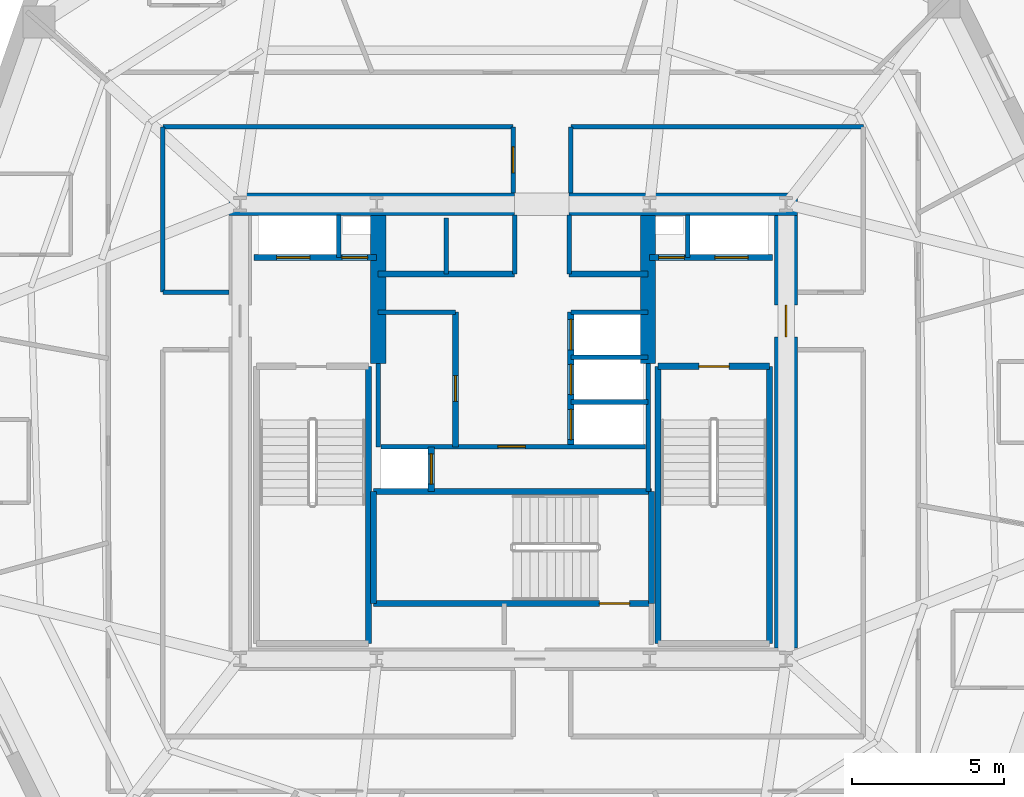
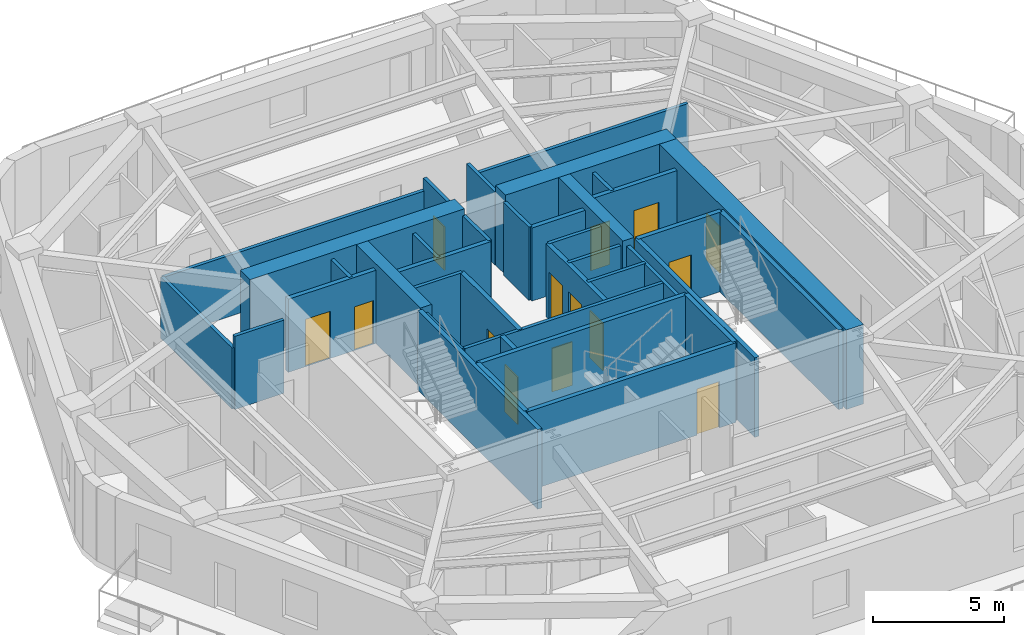
# One storey, part 4 of 10: 38 walls, 14 doors, 14 openings.
"""IFC4 building model written with IfcOpenShell, lengths in metres."""

from ifc_helpers import new_model, si_unit, direction, frame, frame_2d, origin, place, context, subcontext, project, spatial, rectangle, extrude, material, layer, layer_set, type_object, element, fill, save


model = new_model("IFC4")

# Units and contexts
model_context = context("Model", 3, precision=1e-05, world=origin(), true_north=direction((0.0, 1.0)))
body_context = subcontext(model_context, "Body", "Model", "MODEL_VIEW")
ifc_project = project(units=[si_unit("LENGTHUNIT", "METRE"), si_unit("AREAUNIT", "SQUARE_METRE"), si_unit("VOLUMEUNIT", "CUBIC_METRE"), si_unit("PLANEANGLEUNIT", "RADIAN"), si_unit("MASSUNIT", "GRAM", prefix="KILO")], contexts=[model_context])

# Site, building, storey
site_placement = place(None, origin())
site = spatial("IfcSite", under=ifc_project, at=site_placement, CompositionType="ELEMENT")
building_placement = place(site_placement, origin())
building = spatial("IfcBuilding", under=site, at=building_placement, Name="Kilnhurst Terrace Hotel", CompositionType="ELEMENT")
storey_placement = place(building_placement, frame((0.0, 0.0, 186.699951171875)))
storey = spatial("IfcBuildingStorey", under=building, at=storey_placement, Name="L46", CompositionType="ELEMENT", Elevation=186.699951171875)

# Walls
ifc_material_1 = material(Name="Acoustic Double-Gypsum Corridor Partition Assembly")
ifc_layer_1 = layer(ifc_material_1, 0.14990234375, Name="Acoustic Double-Gypsum Corridor Partition Assembly")
ifc_layer_set_1 = layer_set([ifc_layer_1], Name="Acoustic Double-Gypsum Corridor Partition Assembly")
wall_type_1 = type_object("IfcWallType", Name="WL-COR-150", PredefinedType="PARTITIONING", material=ifc_layer_set_1)
wall_1_placement = place(storey_placement, frame((11.550048828125, 10.050048828125, 0.0), z_axis=(0.0, 0.0, 1.0), x_axis=(-1.0, 0.0, 0.0)))
element("IfcWall", 1, at=wall_1_placement, inside=storey, type_object=wall_type_1, Name="L46 Interior Wall WL-L46-COR-09", PredefinedType="PARTITIONING", context=body_context, shape_type="SweptSolid", body=[
    extrude(rectangle(XDim=9.650146484375, YDim=0.14990234375, at=frame_2d((4.8251953125, 0.0))), origin(), (0.0, 0.0, 1.0), 2.840087890625),
])
wall_2_placement = place(storey_placement, frame((1.89990234375, 10.050048828125, 0.0), z_axis=(0.0, 0.0, 1.0), x_axis=(0.0, -1.0, 0.0)))
element("IfcWall", 2, at=wall_2_placement, inside=storey, type_object=wall_type_1, Name="L46 Interior Wall WL-L46-COR-10", PredefinedType="PARTITIONING", context=body_context, shape_type="SweptSolid", body=[
    extrude(rectangle(XDim=2.175048828125, YDim=0.14990234375, at=frame_2d((1.08740234375, 0.0))), origin(), (0.0, 0.0, 1.0), 3.400146484375),
])

# Wall, opening, door
wall_3_placement = place(storey_placement, frame((0.0, 7.875, 0.0), z_axis=(0.0, 0.0, 1.0), x_axis=(0.0, 1.0, 0.0)))
wall_3 = element("IfcWall", 3, at=wall_3_placement, inside=storey, type_object=wall_type_1, Name="L46 Interior Wall WL-L46-COR-11", PredefinedType="PARTITIONING", context=body_context, shape_type="SweptSolid", body=[
    extrude(rectangle(XDim=2.175048828125, YDim=0.14990234375, at=frame_2d((1.08740234375, 0.0))), origin(), (0.0, 0.0, 1.0), 3.400146484375),
])
opening_1_placement = place(wall_3_placement, frame((0.6630859375, 0.0, 0.0)))
opening_1 = element("IfcOpeningElement", 4, at=opening_1_placement, cuts=wall_3, Name="Opening D-60D", PredefinedType="OPENING", context=body_context, shape_type="SweptSolid", body=[
    extrude(rectangle(XDim=0.85009765625, YDim=2.030029296875, at=frame_2d((0.425048828125, 1.01513671875))), frame((0.0, 0.0849609375, 0.0), z_axis=(0.0, -1.0, 0.0), x_axis=(1.0, 0.0, 0.0)), (0.0, 0.0, 1.0), 0.169921875),
])
ifc_material_2 = material(Name="Painted Hollow Metal Steel ASTM A36 Riser Door", Category="steel")
door_type_1 = type_object("IfcDoorType", Name="DR-FD60-850", OperationType="NOTDEFINED", PredefinedType="DOOR", material=ifc_material_2)
door_1_placement = place(opening_1_placement, origin())
door_1 = element("IfcDoor", 5, at=door_1_placement, inside=storey, type_object=door_type_1, Name="L46 Floor Valet Equipment Store Door", OperationType="SINGLE_SWING_RIGHT", OverallHeight=2.030029296875, OverallWidth=0.85009765625, PredefinedType="DOOR", context=body_context, shape_type="SweptSolid", body=[
    extrude(rectangle(XDim=0.85009765625, YDim=2.030029296875, at=frame_2d((0.425048828125, 1.01513671875))), frame((0.0, 0.02490234375, 0.0), z_axis=(0.0, -1.0, 0.0), x_axis=(1.0, 0.0, 0.0)), (0.0, 0.0, 1.0), 0.050048828125),
])
fill(opening_1, door_1)

# Walls
wall_4_placement = place(storey_placement, frame((0.0, 10.050048828125, 0.0), z_axis=(0.0, 0.0, 1.0), x_axis=(-1.0, 0.0, 0.0)))
element("IfcWall", 6, at=wall_4_placement, inside=storey, type_object=wall_type_1, Name="L46 Interior Wall WL-L46-COR-12", PredefinedType="PARTITIONING", context=body_context, shape_type="SweptSolid", body=[
    extrude(rectangle(XDim=11.550048828125, YDim=0.14990234375, at=frame_2d((5.77490234375, 0.0))), origin(), (0.0, 0.0, 1.0), 2.840087890625),
])
wall_5_placement = place(storey_placement, frame((-11.550048828125, 10.050048828125, 0.0), z_axis=(0.0, 0.0, 1.0), x_axis=(0.0, -1.0, 0.0)))
element("IfcWall", 7, at=wall_5_placement, inside=storey, type_object=wall_type_1, Name="L46 Interior Wall WL-L46-COR-13", PredefinedType="PARTITIONING", context=body_context, shape_type="SweptSolid", body=[
    extrude(rectangle(XDim=5.449951171875, YDim=0.14990234375, at=frame_2d((2.72509765625, 0.0))), origin(), (0.0, 0.0, 1.0), 2.840087890625),
])
wall_6_placement = place(storey_placement, frame((-11.550048828125, 4.60009765625, 0.0), z_axis=(0.0, 0.0, 1.0), x_axis=(1.0, 0.0, 0.0)))
element("IfcWall", 8, at=wall_6_placement, inside=storey, type_object=wall_type_1, Name="L46 Interior Wall WL-L46-COR-14", PredefinedType="PARTITIONING", context=body_context, shape_type="SweptSolid", body=[
    extrude(rectangle(XDim=2.175048828125, YDim=0.14990234375, at=frame_2d((1.08740234375, 0.0))), origin(), (0.0, 0.0, 1.0), 3.400146484375),
])
ifc_material_3 = material(Name="Concrete C60/75", Category="concrete")
ifc_layer_2 = layer(ifc_material_3, 0.75, Name="Concrete C60/75")
ifc_layer_set_2 = layer_set([ifc_layer_2], Name="Concrete C60/75")
wall_type_2 = type_object("IfcWallType", Name="WL-CORE-750", PredefinedType="SHEAR", material=ifc_layer_set_2)
wall_7_placement = place(storey_placement, frame((-9.375, 7.5, 0.0), z_axis=(0.0, 0.0, 1.0), x_axis=(1.0, 0.0, 0.0)))
element("IfcWall", 9, at=wall_7_placement, inside=storey, type_object=wall_type_2, Name="L46 Core North West Shear Wall", PredefinedType="SHEAR", context=body_context, shape_type="SweptSolid", body=[
    extrude(rectangle(XDim=9.425048828125, YDim=0.75, at=frame_2d((4.71240234375, 0.0))), origin(), (0.0, 0.0, 1.0), 3.699951171875),
])
wall_8_placement = place(storey_placement, frame((1.85009765625, 7.5, 0.0), z_axis=(0.0, 0.0, 1.0), x_axis=(1.0, 0.0, 0.0)))
element("IfcWall", 10, at=wall_8_placement, inside=storey, type_object=wall_type_2, Name="L46 Core North East Shear Wall", PredefinedType="SHEAR", context=body_context, shape_type="SweptSolid", body=[
    extrude(rectangle(XDim=7.52490234375, YDim=0.75, at=frame_2d((3.762451171875, 0.0))), origin(), (0.0, 0.0, 1.0), 3.699951171875),
])

# Wall, opening, door
wall_9_placement = place(storey_placement, frame((9.0, -7.125, 0.0), z_axis=(0.0, 0.0, 1.0), x_axis=(0.0, 1.0, 0.0)))
wall_9 = element("IfcWall", 11, at=wall_9_placement, inside=storey, type_object=wall_type_2, Name="L46 Core East Shear Wall", PredefinedType="SHEAR", context=body_context, shape_type="SweptSolid", body=[
    extrude(rectangle(XDim=14.25, YDim=0.75, at=frame_2d((7.125, 0.0))), origin(), (0.0, 0.0, 1.0), 3.699951171875),
])
opening_2_placement = place(wall_9_placement, frame((10.25, 0.0, 0.0)))
opening_2 = element("IfcOpeningElement", 12, at=opening_2_placement, cuts=wall_9, Name="Opening D-90A", PredefinedType="OPENING", context=body_context, shape_type="SweptSolid", body=[
    extrude(rectangle(XDim=1.050048828125, YDim=2.14990234375, at=frame_2d((0.52490234375, 1.074951171875))), frame((0.0, 0.385009765625, 0.0), z_axis=(0.0, -1.0, 0.0), x_axis=(1.0, 0.0, 0.0)), (0.0, 0.0, 1.0), 0.77001953125),
])
ifc_material_4 = material(Name="Painted Hollow Metal Steel ASTM A36 Fire Door", Category="steel")
door_type_2 = type_object("IfcDoorType", Name="DR-FD90-1050", OperationType="NOTDEFINED", PredefinedType="DOOR", material=ifc_material_4)
door_2_placement = place(opening_2_placement, origin())
door_2 = element("IfcDoor", 13, at=door_2_placement, inside=storey, type_object=door_type_2, Name="L46 East Firefighting Lobby Door", OperationType="SINGLE_SWING_LEFT", OverallHeight=2.14990234375, OverallWidth=1.050048828125, PredefinedType="DOOR", context=body_context, shape_type="SweptSolid", body=[
    extrude(rectangle(XDim=1.050048828125, YDim=2.14990234375, at=frame_2d((0.52490234375, 1.074951171875))), frame((0.0, 0.02490234375, 0.0), z_axis=(0.0, -1.0, 0.0), x_axis=(1.0, 0.0, 0.0)), (0.0, 0.0, 1.0), 0.050048828125),
])
fill(opening_2, door_2)

# Walls
ifc_layer_3 = layer(ifc_material_3, 0.5, Name="Concrete C60/75")
ifc_layer_set_3 = layer_set([ifc_layer_3], Name="Concrete C60/75")
wall_type_3 = type_object("IfcWallType", Name="WL-CORE-WEB-500", PredefinedType="SHEAR", material=ifc_layer_set_3)
for number, where, z_axis, x_axis, name in (
    (14, (-4.449951171875, 2.25, 0.0), (0.0, 0.0, 1.0), (0.0, 1.0, 0.0), "L46 Core Internal West Shear Web"),
    (15, (4.449951171875, 2.25, 0.0), (0.0, 0.0, 1.0), (0.0, 1.0, 0.0), "L46 Core Internal East Shear Web"),
):
    element("IfcWall", number, at=place(storey_placement, frame(where, z_axis=z_axis, x_axis=x_axis)), inside=storey, type_object=wall_type_3, Name=name, PredefinedType="SHEAR", context=body_context, shape_type="SweptSolid", body=[
        extrude(rectangle(XDim=4.875, YDim=0.5, at=frame_2d((2.4375, 0.0))), origin(), (0.0, 0.0, 1.0), 3.699951171875),
    ])
ifc_material_5 = material(Name="Fire-Rated Gypsum Shaftliner Assembly")
ifc_layer_4 = layer(ifc_material_5, 0.14990234375, Name="Fire-Rated Gypsum Shaftliner Assembly")
ifc_layer_set_4 = layer_set([ifc_layer_4], Name="Fire-Rated Gypsum Shaftliner Assembly")
wall_type_4 = type_object("IfcWallType", Name="WL-SHAFT-150", PredefinedType="PARTITIONING", material=ifc_layer_set_4)
for number, where, z_axis, x_axis, name in (
    (16, (-5.75, 5.739990234375, 0.0), (0.0, 0.0, 1.0), (0.0, 1.0, 0.0), "L46 Interior Wall WL-L46-RIS1-DIV"),
    (17, (5.75, 5.739990234375, 0.0), (0.0, 0.0, 1.0), (0.0, 1.0, 0.0), "L46 Interior Wall WL-L46-RIS2-DIV"),
):
    element("IfcWall", number, at=place(storey_placement, frame(where, z_axis=z_axis, x_axis=x_axis)), inside=storey, type_object=wall_type_4, Name=name, PredefinedType="PARTITIONING", context=body_context, shape_type="SweptSolid", body=[
        extrude(rectangle(XDim=1.409912109375, YDim=0.14990234375, at=frame_2d((0.705078125, 0.0))), origin(), (0.0, 0.0, 1.0), 3.400146484375),
    ])
wall_10_placement = place(storey_placement, frame((-2.199951171875, 5.199951171875, 0.0), z_axis=(0.0, 0.0, 1.0), x_axis=(0.0, 1.0, 0.0)))
element("IfcWall", 18, at=wall_10_placement, inside=storey, type_object=wall_type_4, Name="L46 Interior Wall WL-L46-HR-DIV1", PredefinedType="PARTITIONING", context=body_context, shape_type="SweptSolid", body=[
    extrude(rectangle(XDim=1.85009765625, YDim=0.14990234375, at=frame_2d((0.925048828125, 0.0))), origin(), (0.0, 0.0, 1.0), 3.400146484375),
])
for number, where, z_axis, x_axis, name in (
    (19, (0.050048828125, 5.199951171875, 0.0), (0.0, 0.0, 1.0), (0.0, 1.0, 0.0), "L46 Interior Wall WL-L46-HR-PORTAL-W"),
    (20, (1.85009765625, 5.199951171875, 0.0), (0.0, 0.0, 1.0), (0.0, 1.0, 0.0), "L46 Interior Wall WL-L46-HR-PORTAL-E"),
):
    element("IfcWall", number, at=place(storey_placement, frame(where, z_axis=z_axis, x_axis=x_axis)), inside=storey, type_object=wall_type_4, Name=name, PredefinedType="PARTITIONING", context=body_context, shape_type="SweptSolid", body=[
        extrude(rectangle(XDim=1.949951171875, YDim=0.14990234375, at=frame_2d((0.97509765625, 0.0))), origin(), (0.0, 0.0, 1.0), 3.400146484375),
    ])
wall_11_placement = place(storey_placement, frame((-4.449951171875, -0.5, 0.0), z_axis=(0.0, 0.0, 1.0), x_axis=(0.0, 1.0, 0.0)))
element("IfcWall", 21, at=wall_11_placement, inside=storey, type_object=wall_type_4, Name="L46 Interior Wall WL-L46-XLOB-W", PredefinedType="PARTITIONING", context=body_context, shape_type="SweptSolid", body=[
    extrude(rectangle(XDim=2.75, YDim=0.14990234375, at=frame_2d((1.375, 0.0))), origin(), (0.0, 0.0, 1.0), 3.400146484375),
])
wall_12_placement = place(storey_placement, frame((4.449951171875, -1.971923828125, 0.0), z_axis=(0.0, 0.0, 1.0), x_axis=(0.0, 1.0, 0.0)))
element("IfcWall", 22, at=wall_12_placement, inside=storey, type_object=wall_type_4, Name="L46 Interior Wall WL-L46-XLOB-E", PredefinedType="PARTITIONING", context=body_context, shape_type="SweptSolid", body=[
    extrude(rectangle(XDim=4.221923828125, YDim=0.14990234375, at=frame_2d((2.11083984375, 0.0))), origin(), (0.0, 0.0, 1.0), 3.400146484375),
])
for number, where, z_axis, x_axis, name in (
    (23, (-4.449951171875, 3.93994140625, 0.0), (0.0, 0.0, 1.0), (1.0, 0.0, 0.0), "L46 Interior Wall WL-L46-LR-NORTH"),
    (24, (1.89990234375, 3.93994140625, 0.0), (0.0, 0.0, 1.0), (1.0, 0.0, 0.0), "L46 Interior Wall WL-L46-MR-NORTH"),
    (25, (1.89990234375, 0.97998046875, 0.0), (0.0, 0.0, 1.0), (1.0, 0.0, 0.0), "L46 Interior Wall WL-L46-MR-D1"),
    (26, (1.89990234375, 2.4599609375, 0.0), (0.0, 0.0, 1.0), (1.0, 0.0, 0.0), "L46 Interior Wall WL-L46-MR-D2"),
):
    element("IfcWall", number, at=place(storey_placement, frame(where, z_axis=z_axis, x_axis=x_axis)), inside=storey, type_object=wall_type_4, Name=name, PredefinedType="PARTITIONING", context=body_context, shape_type="SweptSolid", body=[
        extrude(rectangle(XDim=2.550048828125, YDim=0.14990234375, at=frame_2d((1.27490234375, 0.0))), origin(), (0.0, 0.0, 1.0), 3.400146484375),
    ])

# Wall, opening, door
wall_13_placement = place(storey_placement, frame((-4.360107421875, -0.489990234375, 0.0), z_axis=(0.0, 0.0, 1.0), x_axis=(1.0, 0.0, 0.0)))
wall_13 = element("IfcWall", 27, at=wall_13_placement, inside=storey, type_object=wall_type_4, Name="L46 Interior Wall WL-L46-BOH-N", PredefinedType="PARTITIONING", context=body_context, shape_type="SweptSolid", body=[
    extrude(rectangle(XDim=8.72021484375, YDim=0.14990234375, at=frame_2d((4.360107421875, 0.0))), origin(), (0.0, 0.0, 1.0), 3.400146484375),
])
opening_3_placement = place(wall_13_placement, frame((3.860107421875, 0.0, 0.0)))
opening_3 = element("IfcOpeningElement", 28, at=opening_3_placement, cuts=wall_13, Name="Opening D-60C", PredefinedType="OPENING", context=body_context, shape_type="SweptSolid", body=[
    extrude(rectangle(XDim=0.89990234375, YDim=2.030029296875, at=frame_2d((0.449951171875, 1.01513671875))), frame((0.0, 0.0849609375, 0.0), z_axis=(0.0, -1.0, 0.0), x_axis=(1.0, 0.0, 0.0)), (0.0, 0.0, 1.0), 0.169921875),
])
ifc_material_6 = material(Name="Painted Solid-Core Service Fire Door")
door_type_3 = type_object("IfcDoorType", Name="DR-FD60-900", OperationType="NOTDEFINED", PredefinedType="DOOR", material=ifc_material_6)
door_3_placement = place(opening_3_placement, origin())
door_3 = element("IfcDoor", 29, at=door_3_placement, inside=storey, type_object=door_type_3, Name="L46 Housekeeping Laundry Door", OperationType="SINGLE_SWING_LEFT", OverallHeight=2.030029296875, OverallWidth=0.89990234375, PredefinedType="DOOR", context=body_context, shape_type="SweptSolid", body=[
    extrude(rectangle(XDim=0.89990234375, YDim=2.030029296875, at=frame_2d((0.449951171875, 1.01513671875))), frame((0.0, 0.02490234375, 0.0), z_axis=(0.0, -1.0, 0.0), x_axis=(1.0, 0.0, 0.0)), (0.0, 0.0, 1.0), 0.050048828125),
])
fill(opening_3, door_3)

# Wall, openings, doors
ifc_material_7 = material(Name="Autoclaved Aerated Concrete C30/37 and Gypsum Shaft Assembly", Category="concrete")
ifc_layer_5 = layer(ifc_material_7, 0.199951171875, Name="Autoclaved Aerated Concrete C30/37 and Gypsum Shaft Assembly")
ifc_layer_set_5 = layer_set([ifc_layer_5], Name="Autoclaved Aerated Concrete C30/37 and Gypsum Shaft Assembly")
wall_type_5 = type_object("IfcWallType", Name="WL-SHAFT-200", PredefinedType="PARTITIONING", material=ifc_layer_set_5)
wall_14_placement = place(storey_placement, frame((-8.550048828125, 5.739990234375, 0.0), z_axis=(0.0, 0.0, 1.0), x_axis=(1.0, 0.0, 0.0)))
wall_14 = element("IfcWall", 30, at=wall_14_placement, inside=storey, type_object=wall_type_5, Name="L46 Interior Wall WL-L46-FSAE1-S", PredefinedType="PARTITIONING", context=body_context, shape_type="SweptSolid", body=[
    extrude(rectangle(XDim=4.050048828125, YDim=0.199951171875, at=frame_2d((2.02490234375, 0.0))), origin(), (0.0, 0.0, 1.0), 3.400146484375),
])
opening_4_placement = place(wall_14_placement, frame((0.75, 0.0, 0.0)))
opening_4 = element("IfcOpeningElement", 31, at=opening_4_placement, cuts=wall_14, Name="Opening LD-F1", PredefinedType="OPENING", context=body_context, shape_type="SweptSolid", body=[
    extrude(rectangle(XDim=1.10009765625, YDim=2.199951171875, at=frame_2d((0.550048828125, 1.10009765625))), frame((0.0, 0.10986328125, 0.0), z_axis=(0.0, -1.0, 0.0), x_axis=(1.0, 0.0, 0.0)), (0.0, 0.0, 1.0), 0.219970703125),
])
opening_5_placement = place(wall_14_placement, frame((2.89990234375, 0.0, 0.0)))
opening_5 = element("IfcOpeningElement", 32, at=opening_5_placement, cuts=wall_14, Name="Opening D-60D", PredefinedType="OPENING", context=body_context, shape_type="SweptSolid", body=[
    extrude(rectangle(XDim=0.85009765625, YDim=2.030029296875, at=frame_2d((0.425048828125, 1.01513671875))), frame((0.0, 0.10986328125, 0.0), z_axis=(0.0, -1.0, 0.0), x_axis=(1.0, 0.0, 0.0)), (0.0, 0.0, 1.0), 0.219970703125),
])
door_4_placement = place(opening_5_placement, origin())
door_4 = element("IfcDoor", 33, at=door_4_placement, inside=storey, type_object=door_type_1, Name="L46 Electrical Riser Door", OperationType="SINGLE_SWING_LEFT", OverallHeight=2.030029296875, OverallWidth=0.85009765625, PredefinedType="DOOR", context=body_context, shape_type="SweptSolid", body=[
    extrude(rectangle(XDim=0.85009765625, YDim=2.030029296875, at=frame_2d((0.425048828125, 1.01513671875))), frame((0.0, 0.02490234375, 0.0), z_axis=(0.0, -1.0, 0.0), x_axis=(1.0, 0.0, 0.0)), (0.0, 0.0, 1.0), 0.050048828125),
])
fill(opening_5, door_4)
ifc_material_8 = material(Name="Bronze-Anodized Stainless Steel AISI 316L Sliding Door", Category="steel")
door_type_4 = type_object("IfcDoorType", Name="DR-LIFT-1100", OperationType="NOTDEFINED", PredefinedType="DOOR", material=ifc_material_8)
door_5_placement = place(opening_4_placement, origin())
door_5 = element("IfcDoor", 34, at=door_5_placement, inside=storey, type_object=door_type_4, Name="L46 FSAE-1 Landing Door", OperationType="SLIDING_TO_LEFT", OverallHeight=2.199951171875, OverallWidth=1.10009765625, PredefinedType="DOOR", context=body_context, shape_type="SweptSolid", body=[
    extrude(rectangle(XDim=1.10009765625, YDim=2.199951171875, at=frame_2d((0.550048828125, 1.10009765625))), frame((0.0, 0.02490234375, 0.0), z_axis=(0.0, -1.0, 0.0), x_axis=(1.0, 0.0, 0.0)), (0.0, 0.0, 1.0), 0.050048828125),
])
fill(opening_4, door_5)

wall_15_placement = place(storey_placement, frame((4.5, 5.739990234375, 0.0), z_axis=(0.0, 0.0, 1.0), x_axis=(1.0, 0.0, 0.0)))
wall_15 = element("IfcWall", 35, at=wall_15_placement, inside=storey, type_object=wall_type_5, Name="L46 Interior Wall WL-L46-FSAE2-S", PredefinedType="PARTITIONING", context=body_context, shape_type="SweptSolid", body=[
    extrude(rectangle(XDim=4.050048828125, YDim=0.199951171875, at=frame_2d((2.02490234375, 0.0))), origin(), (0.0, 0.0, 1.0), 3.400146484375),
])
opening_6_placement = place(wall_15_placement, frame((0.300048828125, 0.0, 0.0)))
opening_6 = element("IfcOpeningElement", 36, at=opening_6_placement, cuts=wall_15, Name="Opening D-60D", PredefinedType="OPENING", context=body_context, shape_type="SweptSolid", body=[
    extrude(rectangle(XDim=0.85009765625, YDim=2.030029296875, at=frame_2d((0.425048828125, 1.01513671875))), frame((0.0, 0.10986328125, 0.0), z_axis=(0.0, -1.0, 0.0), x_axis=(1.0, 0.0, 0.0)), (0.0, 0.0, 1.0), 0.219970703125),
])
opening_7_placement = place(wall_15_placement, frame((2.14990234375, 0.0, 0.0)))
opening_7 = element("IfcOpeningElement", 37, at=opening_7_placement, cuts=wall_15, Name="Opening LD-F2", PredefinedType="OPENING", context=body_context, shape_type="SweptSolid", body=[
    extrude(rectangle(XDim=1.10009765625, YDim=2.199951171875, at=frame_2d((0.550048828125, 1.10009765625))), frame((0.0, 0.10986328125, 0.0), z_axis=(0.0, -1.0, 0.0), x_axis=(1.0, 0.0, 0.0)), (0.0, 0.0, 1.0), 0.219970703125),
])
door_6_placement = place(opening_6_placement, origin())
door_6 = element("IfcDoor", 38, at=door_6_placement, inside=storey, type_object=door_type_1, Name="L46 Telecom Riser Door", OperationType="SINGLE_SWING_RIGHT", OverallHeight=2.030029296875, OverallWidth=0.85009765625, PredefinedType="DOOR", context=body_context, shape_type="SweptSolid", body=[
    extrude(rectangle(XDim=0.85009765625, YDim=2.030029296875, at=frame_2d((0.425048828125, 1.01513671875))), frame((0.0, 0.02490234375, 0.0), z_axis=(0.0, -1.0, 0.0), x_axis=(1.0, 0.0, 0.0)), (0.0, 0.0, 1.0), 0.050048828125),
])
fill(opening_6, door_6)
door_7_placement = place(opening_7_placement, origin())
door_7 = element("IfcDoor", 39, at=door_7_placement, inside=storey, type_object=door_type_4, Name="L46 FSAE-2 Landing Door", OperationType="SLIDING_TO_RIGHT", OverallHeight=2.199951171875, OverallWidth=1.10009765625, PredefinedType="DOOR", context=body_context, shape_type="SweptSolid", body=[
    extrude(rectangle(XDim=1.10009765625, YDim=2.199951171875, at=frame_2d((0.550048828125, 1.10009765625))), frame((0.0, 0.02490234375, 0.0), z_axis=(0.0, -1.0, 0.0), x_axis=(1.0, 0.0, 0.0)), (0.0, 0.0, 1.0), 0.050048828125),
])
fill(opening_7, door_7)

# Wall, opening, door
wall_16_placement = place(storey_placement, frame((-2.699951171875, -1.971923828125, 0.0), z_axis=(0.0, 0.0, 1.0), x_axis=(0.0, 1.0, 0.0)))
wall_16 = element("IfcWall", 40, at=wall_16_placement, inside=storey, type_object=wall_type_5, Name="L46 Interior Wall WL-L46-SRV1-E", PredefinedType="PARTITIONING", context=body_context, shape_type="SweptSolid", body=[
    extrude(rectangle(XDim=1.471923828125, YDim=0.199951171875, at=frame_2d((0.73583984375, 0.0))), origin(), (0.0, 0.0, 1.0), 3.400146484375),
])
opening_8_placement = place(wall_16_placement, frame((0.239990234375, 0.0, 0.0)))
opening_8 = element("IfcOpeningElement", 41, at=opening_8_placement, cuts=wall_16, Name="Opening LD-SV", PredefinedType="OPENING", context=body_context, shape_type="SweptSolid", body=[
    extrude(rectangle(XDim=1.0, YDim=2.199951171875, at=frame_2d((0.5, 1.10009765625))), frame((0.0, 0.10986328125, 0.0), z_axis=(0.0, -1.0, 0.0), x_axis=(1.0, 0.0, 0.0)), (0.0, 0.0, 1.0), 0.219970703125),
])
door_type_5 = type_object("IfcDoorType", Name="DR-LIFT-1000", OperationType="NOTDEFINED", PredefinedType="DOOR", material=ifc_material_8)
door_8_placement = place(opening_8_placement, origin())
door_8 = element("IfcDoor", 42, at=door_8_placement, inside=storey, type_object=door_type_5, Name="L46 Service Lift SRV-1 Landing Door", OperationType="SLIDING_TO_LEFT", OverallHeight=2.199951171875, OverallWidth=1.0, PredefinedType="DOOR", context=body_context, shape_type="SweptSolid", body=[
    extrude(rectangle(XDim=1.0, YDim=2.199951171875, at=frame_2d((0.5, 1.10009765625))), frame((0.0, 0.02490234375, 0.0), z_axis=(0.0, -1.0, 0.0), x_axis=(1.0, 0.0, 0.0)), (0.0, 0.0, 1.0), 0.050048828125),
])
fill(opening_8, door_8)

# Walls
wall_17_placement = place(storey_placement, frame((-4.449951171875, 5.199951171875, 0.0), z_axis=(0.0, 0.0, 1.0), x_axis=(1.0, 0.0, 0.0)))
element("IfcWall", 43, at=wall_17_placement, inside=storey, type_object=wall_type_5, Name="L46 Interior Wall WL-L46-HR-SW", PredefinedType="PARTITIONING", context=body_context, shape_type="SweptSolid", body=[
    extrude(rectangle(XDim=4.5, YDim=0.199951171875, at=frame_2d((2.25, 0.0))), origin(), (0.0, 0.0, 1.0), 3.400146484375),
])
wall_18_placement = place(storey_placement, frame((1.85009765625, 5.199951171875, 0.0), z_axis=(0.0, 0.0, 1.0), x_axis=(1.0, 0.0, 0.0)))
element("IfcWall", 44, at=wall_18_placement, inside=storey, type_object=wall_type_5, Name="L46 Interior Wall WL-L46-HR-SE", PredefinedType="PARTITIONING", context=body_context, shape_type="SweptSolid", body=[
    extrude(rectangle(XDim=2.599853515625, YDim=0.199951171875, at=frame_2d((1.2998046875, 0.0))), origin(), (0.0, 0.0, 1.0), 3.400146484375),
])

# Wall, opening, door
wall_19_placement = place(storey_placement, frame((-1.89990234375, -0.5, 0.0), z_axis=(0.0, 0.0, 1.0), x_axis=(0.0, 1.0, 0.0)))
wall_19 = element("IfcWall", 45, at=wall_19_placement, inside=storey, type_object=wall_type_5, Name="L46 Interior Wall WL-L46-LR-FRONT", PredefinedType="PARTITIONING", context=body_context, shape_type="SweptSolid", body=[
    extrude(rectangle(XDim=4.43994140625, YDim=0.199951171875, at=frame_2d((2.219970703125, 0.0))), origin(), (0.0, 0.0, 1.0), 3.400146484375),
])
opening_9_placement = place(wall_19_placement, frame((1.5, 0.0, 0.0)))
opening_9 = element("IfcOpeningElement", 46, at=opening_9_placement, cuts=wall_19, Name="Opening D-60D", PredefinedType="OPENING", context=body_context, shape_type="SweptSolid", body=[
    extrude(rectangle(XDim=0.85009765625, YDim=2.030029296875, at=frame_2d((0.425048828125, 1.01513671875))), frame((0.0, 0.10986328125, 0.0), z_axis=(0.0, -1.0, 0.0), x_axis=(1.0, 0.0, 0.0)), (0.0, 0.0, 1.0), 0.219970703125),
])
door_9_placement = place(opening_9_placement, origin())
door_9 = element("IfcDoor", 47, at=door_9_placement, inside=storey, type_object=door_type_1, Name="L46 Reclaimed Linen Room Door", OperationType="SINGLE_SWING_LEFT", OverallHeight=2.030029296875, OverallWidth=0.85009765625, PredefinedType="DOOR", context=body_context, shape_type="SweptSolid", body=[
    extrude(rectangle(XDim=0.85009765625, YDim=2.030029296875, at=frame_2d((0.425048828125, 1.01513671875))), frame((0.0, 0.02490234375, 0.0), z_axis=(0.0, -1.0, 0.0), x_axis=(1.0, 0.0, 0.0)), (0.0, 0.0, 1.0), 0.050048828125),
])
fill(opening_9, door_9)

# Wall, openings, doors
wall_20_placement = place(storey_placement, frame((1.89990234375, -0.5, 0.0), z_axis=(0.0, 0.0, 1.0), x_axis=(0.0, 1.0, 0.0)))
wall_20 = element("IfcWall", 48, at=wall_20_placement, inside=storey, type_object=wall_type_5, Name="L46 Interior Wall WL-L46-MR-FRONT", PredefinedType="PARTITIONING", context=body_context, shape_type="SweptSolid", body=[
    extrude(rectangle(XDim=4.43994140625, YDim=0.199951171875, at=frame_2d((2.219970703125, 0.0))), origin(), (0.0, 0.0, 1.0), 3.400146484375),
])
opening_10_placement = place(wall_20_placement, frame((0.239990234375, 0.0, 0.0)))
opening_10 = element("IfcOpeningElement", 49, at=opening_10_placement, cuts=wall_20, Name="Opening LD-MR", PredefinedType="OPENING", context=body_context, shape_type="SweptSolid", body=[
    extrude(rectangle(XDim=1.0, YDim=2.199951171875, at=frame_2d((0.5, 1.10009765625))), frame((0.0, 0.10986328125, 0.0), z_axis=(0.0, -1.0, 0.0), x_axis=(1.0, 0.0, 0.0)), (0.0, 0.0, 1.0), 0.219970703125),
])
opening_11_placement = place(wall_20_placement, frame((1.719970703125, 0.0, 0.0)))
opening_11 = element("IfcOpeningElement", 50, at=opening_11_placement, cuts=wall_20, Name="Opening LD-MR", PredefinedType="OPENING", context=body_context, shape_type="SweptSolid", body=[
    extrude(rectangle(XDim=1.0, YDim=2.199951171875, at=frame_2d((0.5, 1.10009765625))), frame((0.0, 0.10986328125, 0.0), z_axis=(0.0, -1.0, 0.0), x_axis=(1.0, 0.0, 0.0)), (0.0, 0.0, 1.0), 0.219970703125),
])
opening_12_placement = place(wall_20_placement, frame((3.199951171875, 0.0, 0.0)))
opening_12 = element("IfcOpeningElement", 51, at=opening_12_placement, cuts=wall_20, Name="Opening LD-MR", PredefinedType="OPENING", context=body_context, shape_type="SweptSolid", body=[
    extrude(rectangle(XDim=1.0, YDim=2.199951171875, at=frame_2d((0.5, 1.10009765625))), frame((0.0, 0.10986328125, 0.0), z_axis=(0.0, -1.0, 0.0), x_axis=(1.0, 0.0, 0.0)), (0.0, 0.0, 1.0), 0.219970703125),
])
door_10_placement = place(opening_10_placement, origin())
door_10 = element("IfcDoor", 52, at=door_10_placement, inside=storey, type_object=door_type_5, Name="L46 Mid Rise Lift MR-1 Landing Door", OperationType="SLIDING_TO_RIGHT", OverallHeight=2.199951171875, OverallWidth=1.0, PredefinedType="DOOR", context=body_context, shape_type="SweptSolid", body=[
    extrude(rectangle(XDim=1.0, YDim=2.199951171875, at=frame_2d((0.5, 1.10009765625))), frame((0.0, 0.02490234375, 0.0), z_axis=(0.0, -1.0, 0.0), x_axis=(1.0, 0.0, 0.0)), (0.0, 0.0, 1.0), 0.050048828125),
])
fill(opening_10, door_10)
door_11_placement = place(opening_11_placement, origin())
door_11 = element("IfcDoor", 53, at=door_11_placement, inside=storey, type_object=door_type_5, Name="L46 Mid Rise Lift MR-2 Landing Door", OperationType="SLIDING_TO_RIGHT", OverallHeight=2.199951171875, OverallWidth=1.0, PredefinedType="DOOR", context=body_context, shape_type="SweptSolid", body=[
    extrude(rectangle(XDim=1.0, YDim=2.199951171875, at=frame_2d((0.5, 1.10009765625))), frame((0.0, 0.02490234375, 0.0), z_axis=(0.0, -1.0, 0.0), x_axis=(1.0, 0.0, 0.0)), (0.0, 0.0, 1.0), 0.050048828125),
])
fill(opening_11, door_11)
door_12_placement = place(opening_12_placement, origin())
door_12 = element("IfcDoor", 54, at=door_12_placement, inside=storey, type_object=door_type_5, Name="L46 Mid Rise Lift MR-3 Landing Door", OperationType="SLIDING_TO_RIGHT", OverallHeight=2.199951171875, OverallWidth=1.0, PredefinedType="DOOR", context=body_context, shape_type="SweptSolid", body=[
    extrude(rectangle(XDim=1.0, YDim=2.199951171875, at=frame_2d((0.5, 1.10009765625))), frame((0.0, 0.02490234375, 0.0), z_axis=(0.0, -1.0, 0.0), x_axis=(1.0, 0.0, 0.0)), (0.0, 0.0, 1.0), 0.050048828125),
])
fill(opening_12, door_12)

# Walls
ifc_material_9 = material(Name="Concrete C50/60", Category="concrete")
ifc_layer_6 = layer(ifc_material_9, 0.199951171875, Name="Concrete C50/60")
ifc_layer_set_6 = layer_set([ifc_layer_6], Name="Concrete C50/60")
wall_type_6 = type_object("IfcWallType", Name="WL-STAIR-RC-200", PredefinedType="SHEAR", material=ifc_layer_set_6)
for number, where, z_axis, x_axis, name in (
    (55, (-4.77197265625, -6.985107421875, 0.0), (0.0, 0.0, 1.0), (0.0, 1.0, 0.0), "L46 Structural Stair Shaft Wall WL-L46-ST1-E"),
    (56, (4.77197265625, -6.985107421875, 0.0), (0.0, 0.0, 1.0), (0.0, 1.0, 0.0), "L46 Structural Stair Shaft Wall WL-L46-ST2-W"),
    (57, (8.4580078125, -6.985107421875, 0.0), (0.0, 0.0, 1.0), (0.0, 1.0, 0.0), "L46 Structural Stair Shaft Wall WL-L46-ST2-E"),
):
    element("IfcWall", number, at=place(storey_placement, frame(where, z_axis=z_axis, x_axis=x_axis)), inside=storey, type_object=wall_type_6, Name=name, PredefinedType="SHEAR", context=body_context, shape_type="SweptSolid", body=[
        extrude(rectangle(XDim=9.14306640625, YDim=0.199951171875, at=frame_2d((4.571533203125, 0.0))), origin(), (0.0, 0.0, 1.0), 3.699951171875),
    ])

# Wall, opening, door
wall_21_placement = place(storey_placement, frame((4.77197265625, 2.157958984375, 0.0), z_axis=(0.0, 0.0, 1.0), x_axis=(1.0, 0.0, 0.0)))
wall_21 = element("IfcWall", 58, at=wall_21_placement, inside=storey, type_object=wall_type_6, Name="L46 Structural Stair Shaft Wall WL-L46-ST2-N", PredefinedType="SHEAR", context=body_context, shape_type="SweptSolid", body=[
    extrude(rectangle(XDim=3.68603515625, YDim=0.199951171875, at=frame_2d((1.843017578125, 0.0))), origin(), (0.0, 0.0, 1.0), 3.699951171875),
])
opening_13_placement = place(wall_21_placement, frame((1.35009765625, 0.0, 0.0)))
opening_13 = element("IfcOpeningElement", 59, at=opening_13_placement, cuts=wall_21, Name="Opening D-90B", PredefinedType="OPENING", context=body_context, shape_type="SweptSolid", body=[
    extrude(rectangle(XDim=1.0, YDim=2.14990234375, at=frame_2d((0.5, 1.074951171875))), frame((0.0, 0.10986328125, 0.0), z_axis=(0.0, -1.0, 0.0), x_axis=(1.0, 0.0, 0.0)), (0.0, 0.0, 1.0), 0.219970703125),
])
door_type_6 = type_object("IfcDoorType", Name="DR-FD90-1000", OperationType="NOTDEFINED", PredefinedType="DOOR", material=ifc_material_4)
door_13_placement = place(opening_13_placement, origin())
door_13 = element("IfcDoor", 60, at=door_13_placement, inside=storey, type_object=door_type_6, Name="L46 Stair ST-2 Door", OperationType="SINGLE_SWING_RIGHT", OverallHeight=2.14990234375, OverallWidth=1.0, PredefinedType="DOOR", context=body_context, shape_type="SweptSolid", body=[
    extrude(rectangle(XDim=1.0, YDim=2.14990234375, at=frame_2d((0.5, 1.074951171875))), frame((0.0, 0.02490234375, 0.0), z_axis=(0.0, -1.0, 0.0), x_axis=(1.0, 0.0, 0.0)), (0.0, 0.0, 1.0), 0.050048828125),
])
fill(opening_13, door_13)

# Wall
wall_22_placement = place(storey_placement, frame((-4.60791015625, -5.657958984375, 0.0), z_axis=(0.0, 0.0, 1.0), x_axis=(0.0, 1.0, 0.0)))
element("IfcWall", 61, at=wall_22_placement, inside=storey, type_object=wall_type_6, Name="L46 Structural Stair Shaft Wall WL-L46-ST3-W", PredefinedType="SHEAR", context=body_context, shape_type="SweptSolid", body=[
    extrude(rectangle(XDim=3.68603515625, YDim=0.199951171875, at=frame_2d((1.843017578125, 0.0))), origin(), (0.0, 0.0, 1.0), 3.699951171875),
])

# Wall, opening, door
wall_23_placement = place(storey_placement, frame((-4.60791015625, -5.657958984375, 0.0), z_axis=(0.0, 0.0, 1.0), x_axis=(1.0, 0.0, 0.0)))
wall_23 = element("IfcWall", 62, at=wall_23_placement, inside=storey, type_object=wall_type_6, Name="L46 Structural Stair Shaft Wall WL-L46-ST3-S", PredefinedType="SHEAR", context=body_context, shape_type="SweptSolid", body=[
    extrude(rectangle(XDim=9.166015625, YDim=0.199951171875, at=frame_2d((4.5830078125, 0.0))), origin(), (0.0, 0.0, 1.0), 3.699951171875),
])
opening_14_placement = place(wall_23_placement, frame((7.449951171875, 0.0, 0.0)))
opening_14 = element("IfcOpeningElement", 63, at=opening_14_placement, cuts=wall_23, Name="Opening D-90B", PredefinedType="OPENING", context=body_context, shape_type="SweptSolid", body=[
    extrude(rectangle(XDim=1.0, YDim=2.14990234375, at=frame_2d((0.5, 1.074951171875))), frame((0.0, 0.10986328125, 0.0), z_axis=(0.0, -1.0, 0.0), x_axis=(1.0, 0.0, 0.0)), (0.0, 0.0, 1.0), 0.219970703125),
])
door_14_placement = place(opening_14_placement, origin())
door_14 = element("IfcDoor", 64, at=door_14_placement, inside=storey, type_object=door_type_6, Name="L46 Stair ST-3 Shaft Door", OperationType="SINGLE_SWING_LEFT", OverallHeight=2.14990234375, OverallWidth=1.0, PredefinedType="DOOR", context=body_context, shape_type="SweptSolid", body=[
    extrude(rectangle(XDim=1.0, YDim=2.14990234375, at=frame_2d((0.5, 1.074951171875))), frame((0.0, 0.02490234375, 0.0), z_axis=(0.0, -1.0, 0.0), x_axis=(1.0, 0.0, 0.0)), (0.0, 0.0, 1.0), 0.050048828125),
])
fill(opening_14, door_14)

# Walls
wall_24_placement = place(storey_placement, frame((-4.60791015625, -1.971923828125, 0.0), z_axis=(0.0, 0.0, 1.0), x_axis=(1.0, 0.0, 0.0)))
element("IfcWall", 65, at=wall_24_placement, inside=storey, type_object=wall_type_6, Name="L46 Structural Stair Shaft Wall WL-L46-ST3-N", PredefinedType="SHEAR", context=body_context, shape_type="SweptSolid", body=[
    extrude(rectangle(XDim=9.166015625, YDim=0.199951171875, at=frame_2d((4.5830078125, 0.0))), origin(), (0.0, 0.0, 1.0), 3.699951171875),
])
wall_25_placement = place(storey_placement, frame((4.55810546875, -5.657958984375, 0.0), z_axis=(0.0, 0.0, 1.0), x_axis=(0.0, 1.0, 0.0)))
element("IfcWall", 66, at=wall_25_placement, inside=storey, type_object=wall_type_6, Name="L46 Structural Stair Shaft Wall WL-L46-ST3-E", PredefinedType="SHEAR", context=body_context, shape_type="SweptSolid", body=[
    extrude(rectangle(XDim=3.68603515625, YDim=0.199951171875, at=frame_2d((1.843017578125, 0.0))), origin(), (0.0, 0.0, 1.0), 3.699951171875),
])

save(model, "model.ifc")
